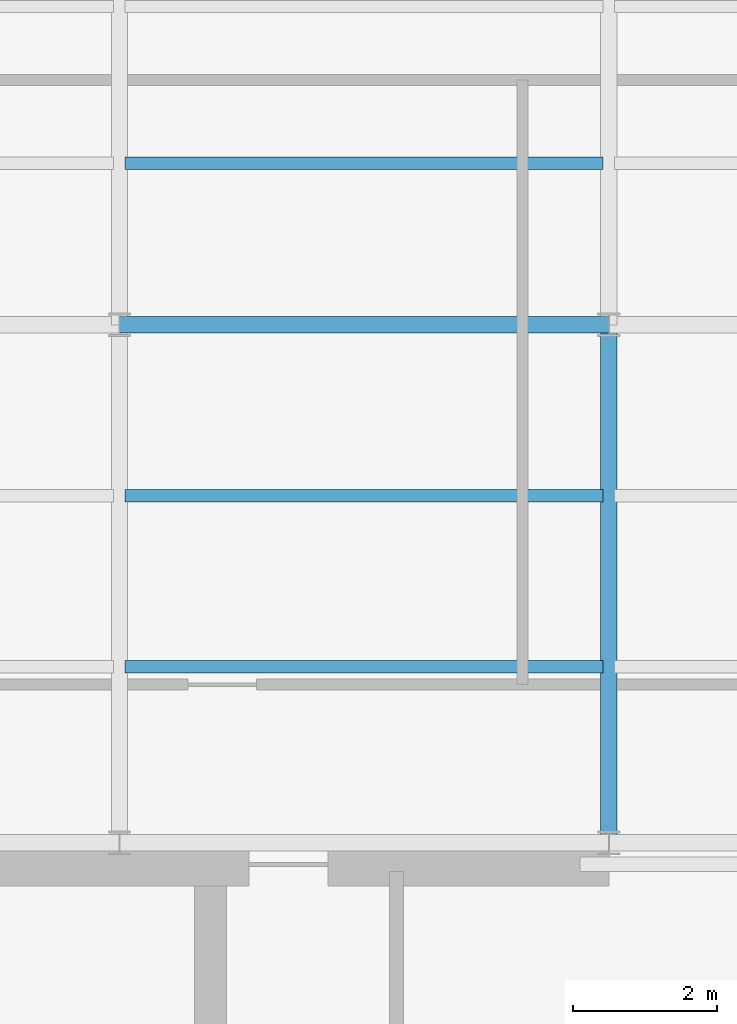
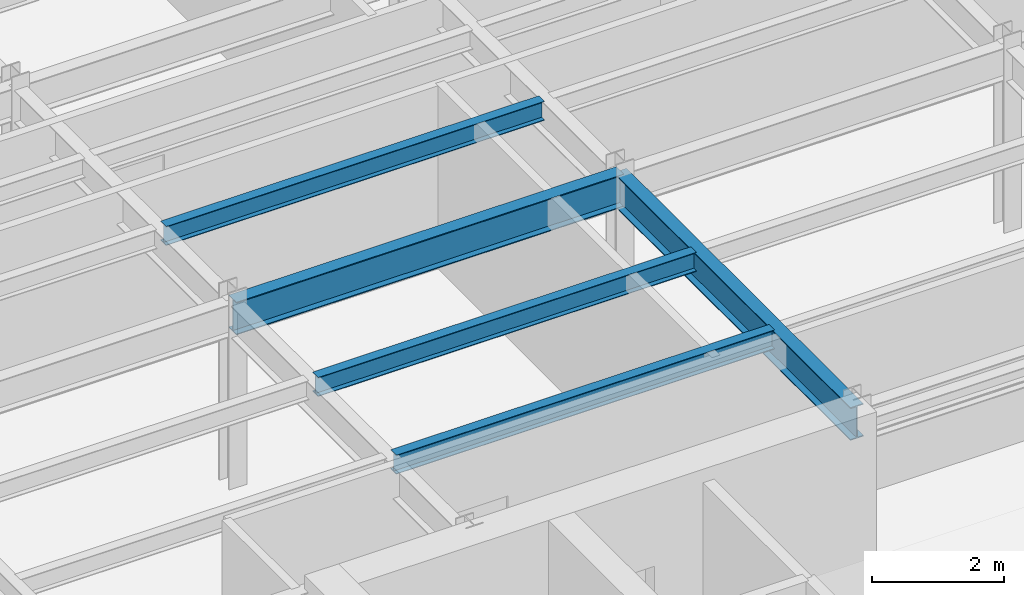
# One storey, part 6 of 22: 5 beams.
"""IFC4 building model written with IfcOpenShell, lengths in metres."""

from ifc_helpers import new_model, si_unit, derived_unit, direction, frame, origin, origin_2d, place, context, subcontext, project, spatial, i_section, extrude, source, transform, mapped, material, material_profile, profile_set, type_object, element, save


model = new_model("IFC4")

# Units and contexts
model_context = context("Model", 3, precision=1e-05, world=origin(), true_north=direction((0.0, 1.0)))
body_context = subcontext(model_context, "Body", "Model", "MODEL_VIEW")
ifc_project = project(units=[si_unit("LENGTHUNIT", "METRE"), si_unit("AREAUNIT", "SQUARE_METRE"), si_unit("VOLUMEUNIT", "CUBIC_METRE"), si_unit("PLANEANGLEUNIT", "RADIAN"), si_unit("MASSUNIT", "GRAM", prefix="KILO"), derived_unit("THERMALTRANSMITTANCEUNIT", [(si_unit("POWERUNIT", "WATT"), 1), (si_unit("LENGTHUNIT", "METRE"), -2), (si_unit("THERMODYNAMICTEMPERATUREUNIT", "KELVIN"), -1)])], contexts=[model_context])

# Site, building, storey
site_placement = place(None, origin())
site = spatial("IfcSite", under=ifc_project, at=site_placement, CompositionType="ELEMENT")
building_placement = place(site_placement, origin())
building = spatial("IfcBuilding", under=site, at=building_placement, Name="Skarnbrae Concourse Arena and Tower", CompositionType="ELEMENT")
storey_placement = place(building_placement, frame((0.0, 0.0, 221.449951171875)))
storey = spatial("IfcBuildingStorey", under=building, at=storey_placement, Name="L57", CompositionType="ELEMENT", Elevation=221.449951171875)

# Beams
ifc_material = material(Name="Steel CSA G40.21 350W", Category="steel")
ifc_material_profile_1 = material_profile(ifc_material, i_section(OverallWidth=0.22802734375, OverallDepth=0.60791015625, WebThickness=0.01123046875, FlangeThickness=0.017333984375, at=origin_2d()), Name="W610X113")
ifc_profile_set_1 = profile_set([ifc_material_profile_1], Name="Steel CSA G40.21 350W")
beam_type_1 = type_object("IfcBeamType", Name="BM-GIRD-W610X113", PredefinedType="BEAM", material=ifc_profile_set_1)
shared_shape_1 = source(origin(), body_context, "Body", "SweptSolid", [
    extrude(i_section(OverallWidth=0.22802734375, OverallDepth=0.60791015625, WebThickness=0.01123046875, FlangeThickness=0.017333984375, at=origin_2d()), origin(), (0.0, 0.0, 1.0), 6.7998046875),
])
beam_1_placement = place(storey_placement, frame((7.60009765625, 21.199951171875, 3.095947265625), z_axis=(1.0, 0.0, 0.0), x_axis=(0.0, 1.0, 0.0)))
element("IfcBeam", 1, at=beam_1_placement, inside=storey, type_object=beam_type_1, Name="L57 Primary E-W girder Y21.2-2", PredefinedType="BEAM", context=body_context, shape_type="MappedRepresentation", body=[
    mapped(shared_shape_1, transform((0.0, 0.0, 0.0))),
])
shared_shape_2 = source(origin(), body_context, "Body", "SweptSolid", [
    extrude(i_section(OverallWidth=0.22802734375, OverallDepth=0.60791015625, WebThickness=0.01123046875, FlangeThickness=0.017333984375, at=origin_2d()), origin(), (0.0, 0.0, 1.0), 7.199951171875),
])
beam_2_placement = place(storey_placement, frame((14.39990234375, 14.0, 3.095947265625), z_axis=(0.0, 1.0, 0.0), x_axis=(-1.0, 0.0, 0.0)))
element("IfcBeam", 2, at=beam_2_placement, inside=storey, type_object=beam_type_1, Name="L57 Primary N-S girder X14.4-1", PredefinedType="BEAM", context=body_context, shape_type="MappedRepresentation", body=[
    mapped(shared_shape_2, transform((0.0, 0.0, 0.0))),
])
ifc_material_profile_2 = material_profile(ifc_material, i_section(OverallWidth=0.1708984375, OverallDepth=0.35498046875, WebThickness=0.007080078125, FlangeThickness=0.01171875, at=origin_2d()), Name="W360X51")
ifc_profile_set_2 = profile_set([ifc_material_profile_2], Name="Steel CSA G40.21 350W")
beam_type_2 = type_object("IfcBeamType", Name="BM-JOIST-W360X51", PredefinedType="JOIST", material=ifc_profile_set_2)
shared_shape_3 = source(origin(), body_context, "Body", "SweptSolid", [
    extrude(i_section(OverallWidth=0.1708984375, OverallDepth=0.35498046875, WebThickness=0.007080078125, FlangeThickness=0.01171875, at=origin_2d()), origin(), (0.0, 0.0, 1.0), 6.64013671875),
])
for number, where, z_axis, x_axis, name in (
    (3, (7.679931640625, 16.447998046875, 3.22265625), (1.0, 0.0, 0.0), (0.0, 1.0, 0.0), "L57 Secondary floor joist 1.1.2"),
    (4, (7.679931640625, 18.823974609375, 3.22265625), (1.0, 0.0, 0.0), (0.0, 1.0, 0.0), "L57 Secondary floor joist 1.2.2"),
    (5, (7.679931640625, 23.444091796875, 3.22265625), (1.0, 0.0, 0.0), (0.0, 1.0, 0.0), "L57 Secondary floor joist 2.1.2"),
):
    element("IfcBeam", number, at=place(storey_placement, frame(where, z_axis=z_axis, x_axis=x_axis)), inside=storey, type_object=beam_type_2, Name=name, PredefinedType="JOIST", context=body_context, shape_type="MappedRepresentation", body=[
        mapped(shared_shape_3, transform((0.0, 0.0, 0.0))),
    ])

save(model, "model.ifc")
